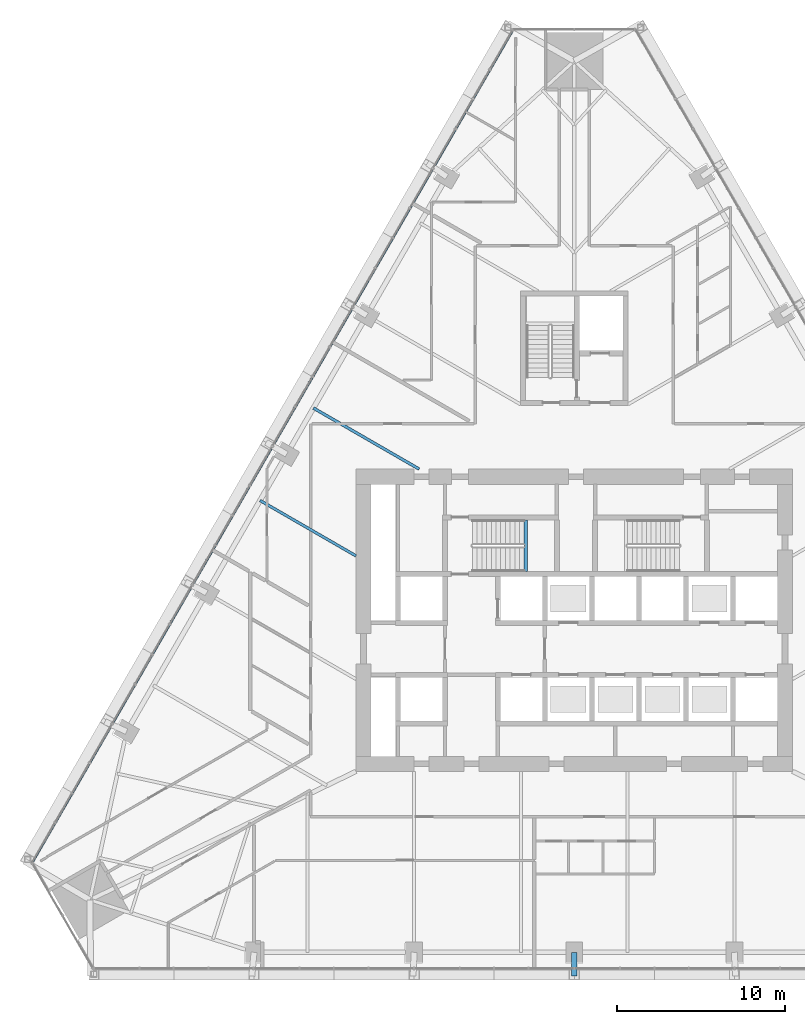
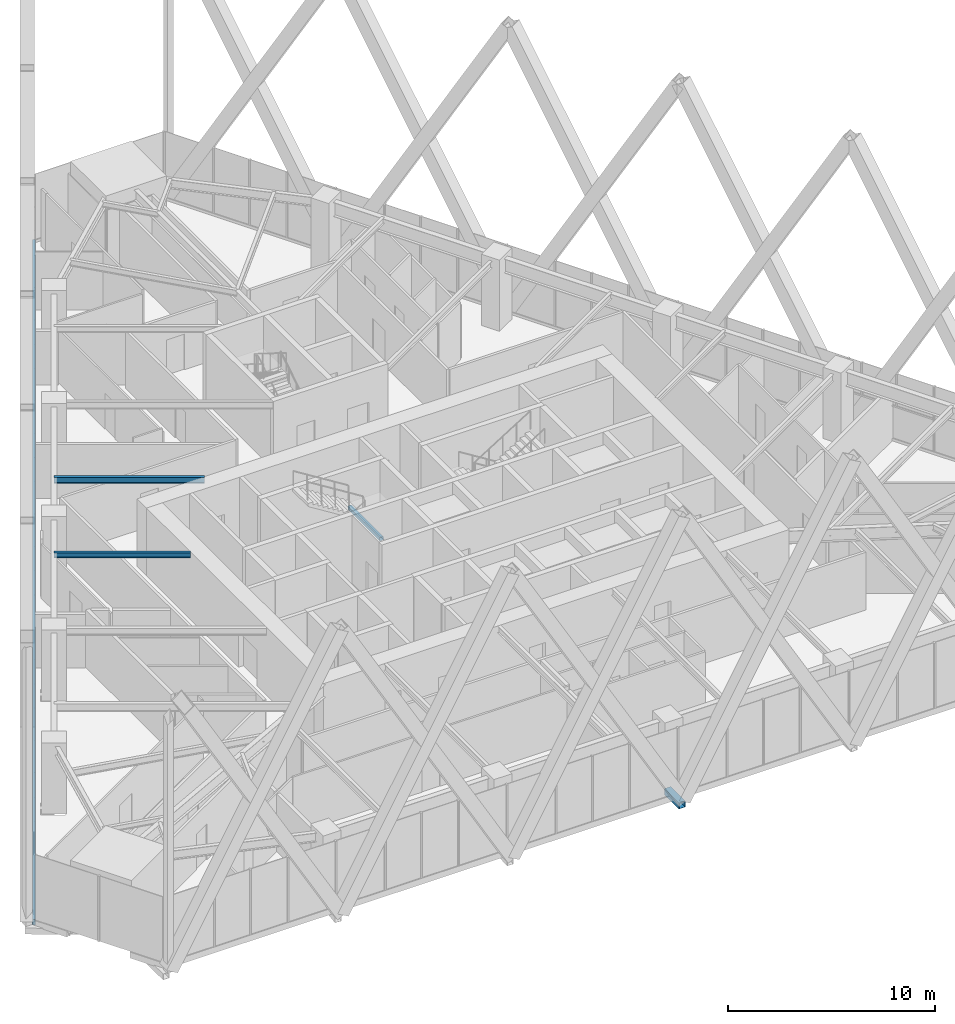
# One storey, part 4 of 23: 3 beams, 2 members, 1 element without a shape of its own.
"""IFC4 building model written with IfcOpenShell, lengths in metres."""

import ifcopenshell
import ifcopenshell.guid

model = None  # the IFC model being written
_history = None  # IfcOwnerHistory: only IFC2X3 demands one
_inside = {}  # id of a spatial element -> (the spatial element, [elements in it])
_under = {}  # id of a project, library or spatial element -> (it, [spatial elements below it])
_declared = {}  # id of a project -> (the project, [libraries it declares])
_typed = {}  # id of a type object -> (the type object, [elements of that type])
_made_of = {}  # id of a material, layer set ... -> (it, [elements and type objects made of it])


def new_model(schema):
    """Start an empty IFC model of exactly this schema.

    Asked for "IFC4X3", IfcOpenShell would pick the latest addendum, in which some entities
    have other attributes; the version numbers below select the first issue.
    IFC2X3 requires an IfcOwnerHistory on every rooted entity: one is made here for all.
    """
    global model, _history
    if schema == "IFC4X3":
        model = ifcopenshell.file(schema_version=(4, 3, 0, 0))
    else:
        model = ifcopenshell.file(schema=schema)
    _inside.clear()
    _under.clear()
    _declared.clear()
    _typed.clear()
    _made_of.clear()
    _history = None
    if model.schema == "IFC2X3":
        org = make("IfcOrganization", Name="unknown")
        user = make(
            "IfcPersonAndOrganization",
            ThePerson=make("IfcPerson", FamilyName="unknown"),
            TheOrganization=org,
        )
        app = make(
            "IfcApplication",
            ApplicationDeveloper=org,
            Version="unknown",
            ApplicationFullName="unknown",
            ApplicationIdentifier="unknown",
        )
        _history = make(
            "IfcOwnerHistory",
            OwningUser=user,
            OwningApplication=app,
            ChangeAction="ADDED",
            CreationDate=0,
        )
    return model


def make(cls, **values):
    """One entity of the class cls with the attributes given. An attribute that is None is left unset."""
    return model.create_entity(
        cls, **{name: value for name, value in values.items() if value is not None}
    )


def rooted(cls, **values):
    """An entity with a GlobalId (a new one), such as an element, a storey or a relation."""
    return make(cls, GlobalId=ifcopenshell.guid.new(), OwnerHistory=_history, **values)


def si_unit(unit_type, name, prefix=None):
    """IfcSIUnit, for example si_unit("LENGTHUNIT", "METRE", prefix="MILLI")."""
    return make("IfcSIUnit", UnitType=unit_type, Prefix=prefix, Name=name)


def assignment(units):
    """IfcUnitAssignment: the units of a project."""
    return None if units is None else make("IfcUnitAssignment", Units=units)


def point(xyz):
    """IfcCartesianPoint."""
    return None if xyz is None else make("IfcCartesianPoint", Coordinates=xyz)


def direction(xyz):
    """IfcDirection."""
    return None if xyz is None else make("IfcDirection", DirectionRatios=xyz)


def frame(location, z_axis=None, x_axis=None):
    """IfcAxis2Placement3D, a coordinate frame: its origin and axes. An axis left out is left unset."""
    return make(
        "IfcAxis2Placement3D",
        Location=point(location),
        Axis=direction(z_axis),
        RefDirection=direction(x_axis),
    )


def frame_2d(location, x_axis=None):
    """IfcAxis2Placement2D, a coordinate frame in the plane: its origin and x axis."""
    return make(
        "IfcAxis2Placement2D", Location=point(location), RefDirection=direction(x_axis)
    )


def origin():
    """The frame at (0, 0, 0) with its axes left unset."""
    return frame((0.0, 0.0, 0.0))


def origin_2d():
    """The frame at (0, 0) in the plane with its x axis left unset."""
    return frame_2d((0.0, 0.0))


def place(relative_to, where):
    """IfcLocalPlacement: puts the frame where relative to a parent placement (None: the world)."""
    return make(
        "IfcLocalPlacement", PlacementRelTo=relative_to, RelativePlacement=where
    )


def context(
    kind, dimensions, precision=None, world=None, true_north=None, identifier=None
):
    """IfcGeometricRepresentationContext, for example the 3D "Model" context."""
    return make(
        "IfcGeometricRepresentationContext",
        ContextIdentifier=identifier,
        ContextType=kind,
        CoordinateSpaceDimension=dimensions,
        Precision=precision,
        WorldCoordinateSystem=world,
        TrueNorth=true_north,
    )


def subcontext(parent, identifier, kind, view, scale=None):
    """IfcGeometricRepresentationSubContext, for example "Body" below "Model"."""
    return make(
        "IfcGeometricRepresentationSubContext",
        ContextIdentifier=identifier,
        ContextType=kind,
        ParentContext=parent,
        TargetScale=scale,
        TargetView=view,
    )


def project(units=None, contexts=None):
    """IfcProject with its units and contexts."""
    return rooted(
        "IfcProject",
        Name="project",
        RepresentationContexts=contexts,
        UnitsInContext=assignment(units),
    )


def spatial(cls, under=None, at=None, **own):
    """A site, building, storey or space (cls), placed at a placement, below another one or the project."""
    s = rooted(cls, ObjectPlacement=at, **own)
    if under is not None:
        _under.setdefault(under.id(), (under, []))[1].append(s)
    return s


def profile(cls, at=None, kind="AREA", **sizes):
    """A parametric profile (cls). Its sizes go by their IFC names, for example OverallWidth=200.0."""
    return make(cls, ProfileType=kind, Position=at, **sizes)


def rectangle(**sizes):
    """IfcRectangleProfileDef."""
    return profile("IfcRectangleProfileDef", **sizes)


def hollow_rectangle(**sizes):
    """IfcRectangleHollowProfileDef."""
    return profile("IfcRectangleHollowProfileDef", **sizes)


def i_section(**sizes):
    """IfcIShapeProfileDef."""
    return profile("IfcIShapeProfileDef", **sizes)


def extrude(swept, where, along, depth):
    """IfcExtrudedAreaSolid: the profile swept, set in the frame where, extruded along a direction by depth."""
    return make(
        "IfcExtrudedAreaSolid",
        SweptArea=swept,
        Position=where,
        ExtrudedDirection=direction(along),
        Depth=depth,
    )


def shape(context_of_items, identifier, shape_type, items):
    """IfcShapeRepresentation: the items that make up one representation, for example the "Body"."""
    return make(
        "IfcShapeRepresentation",
        ContextOfItems=context_of_items,
        RepresentationIdentifier=identifier,
        RepresentationType=shape_type,
        Items=items,
    )


def material(Name=None, Category=None):
    """IfcMaterial."""
    return make("IfcMaterial", Name=Name, Category=Category)


def layer(
    of_material, thickness, ventilated=None, Name=None, Category=None, Priority=None
):
    """IfcMaterialLayer: one layer of a wall or slab, of a material (None: an air gap)."""
    return make(
        "IfcMaterialLayer",
        Material=of_material,
        LayerThickness=thickness,
        IsVentilated=ventilated,
        Name=Name,
        Category=Category,
        Priority=Priority,
    )


def layer_set(layers, Name=None):
    """IfcMaterialLayerSet."""
    return make("IfcMaterialLayerSet", MaterialLayers=layers, LayerSetName=Name)


def material_profile(
    of_material, cross_section, Name=None, Category=None, Priority=None
):
    """IfcMaterialProfile: a cross section and its material."""
    return make(
        "IfcMaterialProfile",
        Name=Name,
        Material=of_material,
        Profile=cross_section,
        Priority=Priority,
        Category=Category,
    )


def profile_set(profiles, Name=None, composite=None):
    """IfcMaterialProfileSet."""
    return make(
        "IfcMaterialProfileSet",
        Name=Name,
        MaterialProfiles=profiles,
        CompositeProfile=composite,
    )


def made_of(thing, what):
    """Note that an element or type object is made of a material, layer set ...; save() writes the relation."""
    if what is not None:
        _made_of.setdefault(what.id(), (what, []))[1].append(thing)
    return thing


def type_object(cls, material=None, **own):
    """A type object (cls), such as IfcWallType, which elements share."""
    return made_of(rooted(cls, **own), material)


def element(
    cls,
    number,
    at=None,
    inside=None,
    cuts=None,
    type_object=None,
    material=None,
    context=None,
    identifier="Body",
    shape_type=None,
    held_by="IfcProductDefinitionShape",
    body=None,
    shapes=None,
    **own,
):
    """One element of the class cls, such as IfcWall. Its Tag is "e" and its number.

    at: its placement. inside: the storey or other place that contains it. cuts: it is an
    opening in that element (IfcRelVoidsElement). A single representation is given by context,
    identifier, shape_type and body (its items); several are given by shapes. held_by: the class
    of the entity that holds the representations. save() writes the other relations.
    """
    e = rooted(cls, Tag="e%d" % number, ObjectPlacement=at, **own)
    if body is not None:
        shapes = [shape(context, identifier, shape_type, body)]
    if shapes is not None:
        e.Representation = make(held_by, Representations=shapes)
    if inside is not None:
        _inside.setdefault(inside.id(), (inside, []))[1].append(e)
    if cuts is not None:
        rooted(
            "IfcRelVoidsElement", RelatingBuildingElement=cuts, RelatedOpeningElement=e
        )
    if type_object is not None:
        _typed.setdefault(type_object.id(), (type_object, []))[1].append(e)
    return made_of(e, material)


def aggregate(whole, parts):
    """IfcRelAggregates: a whole, such as a stair, and the parts it consists of."""
    return rooted("IfcRelAggregates", RelatingObject=whole, RelatedObjects=parts)


def save(model, path):
    """Write the relations noted so far, then the file.

    IfcRelAggregates (storeys below a building ...), IfcRelContainedInSpatialStructure (elements
    in a storey), IfcRelDefinesByType, IfcRelAssociatesMaterial and IfcRelDeclares: one each for
    every whole, place, type object, material and project.
    """
    for whole, parts in _under.values():
        aggregate(whole, parts)
    for where, things in _inside.values():
        rooted(
            "IfcRelContainedInSpatialStructure",
            RelatedElements=things,
            RelatingStructure=where,
        )
    for kind, things in _typed.values():
        rooted("IfcRelDefinesByType", RelatedObjects=things, RelatingType=kind)
    for what, things in _made_of.values():
        rooted("IfcRelAssociatesMaterial", RelatedObjects=things, RelatingMaterial=what)
    for by, libraries in _declared.values():
        rooted("IfcRelDeclares", RelatingContext=by, RelatedDefinitions=libraries)
    model.write(path)


model = new_model("IFC4")

# Units and contexts
model_context = context("Model", 3, precision=1e-05, world=origin(), true_north=direction((0.0, 1.0)))
body_context = subcontext(model_context, "Body", "Model", "MODEL_VIEW")
ifc_project = project(units=[si_unit("LENGTHUNIT", "METRE"), si_unit("AREAUNIT", "SQUARE_METRE"), si_unit("VOLUMEUNIT", "CUBIC_METRE"), si_unit("PLANEANGLEUNIT", "RADIAN"), si_unit("MASSUNIT", "GRAM", prefix="KILO")], contexts=[model_context])

# Site, building, storey
site_placement = place(None, origin())
site = spatial("IfcSite", under=ifc_project, at=site_placement, CompositionType="ELEMENT")
building_placement = place(site_placement, origin())
building = spatial("IfcBuilding", under=site, at=building_placement, Name="Firuza Gate Tower and Library", CompositionType="ELEMENT")
storey_placement = place(building_placement, frame((0.0, 0.0, 56.800048828125)))
storey = spatial("IfcBuildingStorey", under=building, at=storey_placement, Name="L12", CompositionType="ELEMENT", Elevation=56.800048828125)

# Curtain wall, member
ifc_material_1 = material(Name="Aluminium 6063-T6", Category="aluminium")
ifc_layer = layer(ifc_material_1, 0.14990234375)
ifc_layer_set = layer_set([ifc_layer], Name="Unitised curtain wall, offices")
curtain_wall_type = type_object("IfcCurtainWallType", Name="Unitised curtain wall, offices", PredefinedType="NOTDEFINED", material=ifc_layer_set)
curtain_wall_placement = place(storey_placement, origin())
curtain_wall = element("IfcCurtainWall", 1, at=curtain_wall_placement, inside=storey, type_object=curtain_wall_type, Name="CW1 L12 W face", PredefinedType="NOTDEFINED")
ifc_material_2 = material(Name="Aluminium 6063-T6", Category="aluminium")
ifc_material_profile_1 = material_profile(ifc_material_2, rectangle(XDim=0.14990234375, YDim=0.35009765625, at=origin_2d()))
ifc_profile_set_1 = profile_set([ifc_material_profile_1], Name="Aluminium 6063-T6")
member_type_1 = type_object("IfcMemberType", Name="Curtain wall transom 350x150", PredefinedType="USERDEFINED", material=ifc_profile_set_1)
member_1_placement = place(storey_placement, frame((71.356689453125, 110.181884765625, -0.025146484375), z_axis=(-0.499999346088, -0.866025781321, 0.0), x_axis=(0.866025781321, -0.499999346088, 0.0)))
member_1 = element("IfcMember", 2, at=member_1_placement, type_object=member_type_1, Name="Transom", ObjectType="TRANSOM", PredefinedType="USERDEFINED", context=body_context, shape_type="SweptSolid", body=[
    extrude(rectangle(XDim=0.14990234375, YDim=0.35009765625, at=origin_2d()), origin(), (0.0, 0.0, 1.0), 57.29345703125),
])
aggregate(curtain_wall, [member_1])

# Member
ifc_material_3 = material(Name="Steel S355", Category="steel")
ifc_material_profile_2 = material_profile(ifc_material_3, hollow_rectangle(XDim=0.355712890625, YDim=0.355712890625, WallThickness=0.014892578125, at=origin_2d()))
ifc_profile_set_2 = profile_set([ifc_material_profile_2], Name="Steel S355")
member_type_2 = type_object("IfcMemberType", Name="HSS356x356x16 Lattice node tie", PredefinedType="BRACE", material=ifc_profile_set_2)
member_2_placement = place(storey_placement, frame((75.0, 55.22900390625, -0.320068359375), z_axis=(0.0, -1.0, 0.0), x_axis=(1.0, 0.0, 0.0)))
element("IfcMember", 3, at=member_2_placement, inside=storey, type_object=member_type_2, Name="Lattice node tie S L12 32", PredefinedType="BRACE", context=body_context, shape_type="SweptSolid", body=[
    extrude(hollow_rectangle(XDim=0.355712890625, YDim=0.355712890625, WallThickness=0.014892578125, at=origin_2d()), origin(), (0.0, 0.0, 1.0), 1.41357421875),
])

# Beams
ifc_material_4 = material(Name="Concrete C35/45", Category="concrete")
ifc_material_profile_3 = material_profile(ifc_material_4, rectangle(XDim=0.199951171875, YDim=0.199951171875, at=origin_2d()))
ifc_profile_set_3 = profile_set([ifc_material_profile_3], Name="Concrete C35/45")
beam_type_1 = type_object("IfcBeamType", Name="Stair landing bearer 200x200", PredefinedType="BEAM", material=ifc_profile_set_3)
beam_1_placement = place(storey_placement, frame((72.1201171875, 77.89990234375, 1.800048828125), z_axis=(0.0, 1.0, 0.0), x_axis=(-1.0, 0.0, 0.0)))
element("IfcBeam", 4, at=beam_1_placement, inside=storey, type_object=beam_type_1, Name="Landing bearer L12 stair 1", PredefinedType="BEAM", context=body_context, shape_type="SweptSolid", body=[
    extrude(rectangle(XDim=0.199951171875, YDim=0.199951171875, at=origin_2d()), origin(), (0.0, 0.0, 1.0), 3.080078125),
])
ifc_material_5 = material(Name="Steel S355", Category="steel")
ifc_material_profile_4 = material_profile(ifc_material_5, i_section(OverallWidth=0.1650390625, OverallDepth=0.31005859375, WebThickness=0.005859375, FlangeThickness=0.009765625, at=origin_2d()))
ifc_profile_set_4 = profile_set([ifc_material_profile_4], Name="Steel S355")
beam_type_2 = type_object("IfcBeamType", Name="W310x39 Floor beam", PredefinedType="JOIST", material=ifc_profile_set_4)
beam_2_placement = place(storey_placement, frame((56.28857421875, 82.13330078125, 3.844970703125), z_axis=(0.866017904993, -0.500012988063, 0.0), x_axis=(0.500012988063, 0.866017904993, 0.0)))
element("IfcBeam", 5, at=beam_2_placement, inside=storey, type_object=beam_type_2, Name="Floor beam L12 s83", PredefinedType="JOIST", context=body_context, shape_type="SweptSolid", body=[
    extrude(i_section(OverallWidth=0.1650390625, OverallDepth=0.31005859375, WebThickness=0.005859375, FlangeThickness=0.009765625, at=origin_2d()), origin(), (0.0, 0.0, 1.0), 6.594970703125),
])
ifc_material_6 = material(Name="Steel S355", Category="steel")
ifc_material_profile_5 = material_profile(ifc_material_6, i_section(OverallWidth=0.1708984375, OverallDepth=0.35498046875, WebThickness=0.007080078125, FlangeThickness=0.01171875, at=origin_2d()))
ifc_profile_set_5 = profile_set([ifc_material_profile_5], Name="Steel S355")
beam_type_3 = type_object("IfcBeamType", Name="W360x51 Floor beam", PredefinedType="JOIST", material=ifc_profile_set_5)
beam_3_placement = place(storey_placement, frame((59.466796875, 87.637939453125, 3.822509765625), z_axis=(0.866022978719, -0.500004200313, 0.0), x_axis=(0.500004200313, 0.866022978719, 0.0)))
element("IfcBeam", 6, at=beam_3_placement, inside=storey, type_object=beam_type_3, Name="Floor beam L12 s82", PredefinedType="JOIST", context=body_context, shape_type="SweptSolid", body=[
    extrude(i_section(OverallWidth=0.1708984375, OverallDepth=0.35498046875, WebThickness=0.007080078125, FlangeThickness=0.01171875, at=origin_2d()), origin(), (0.0, 0.0, 1.0), 7.27587890625),
])

save(model, "model.ifc")
